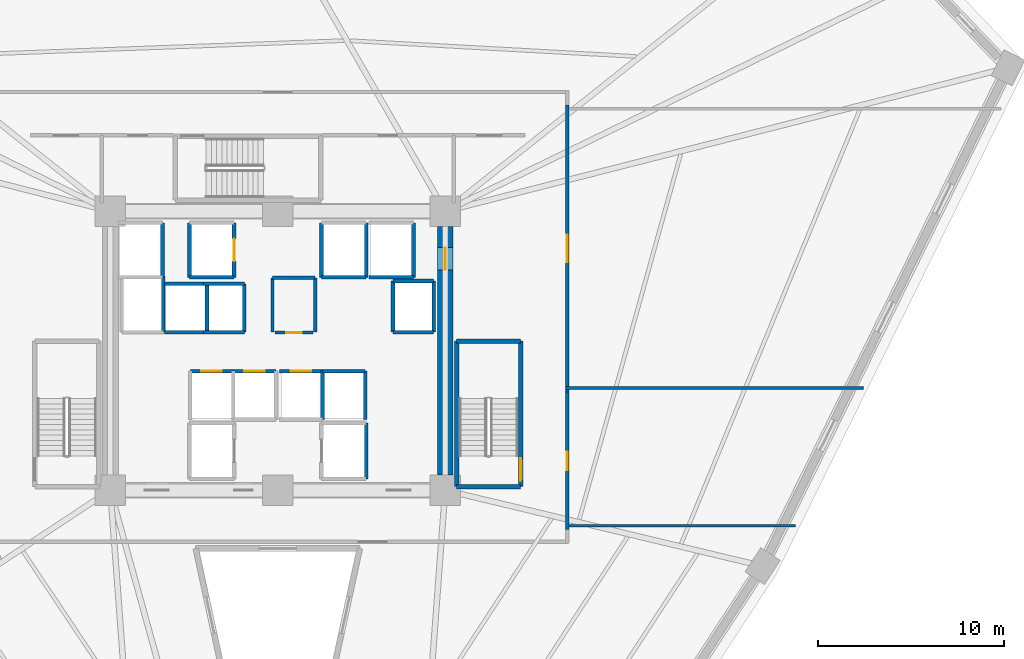
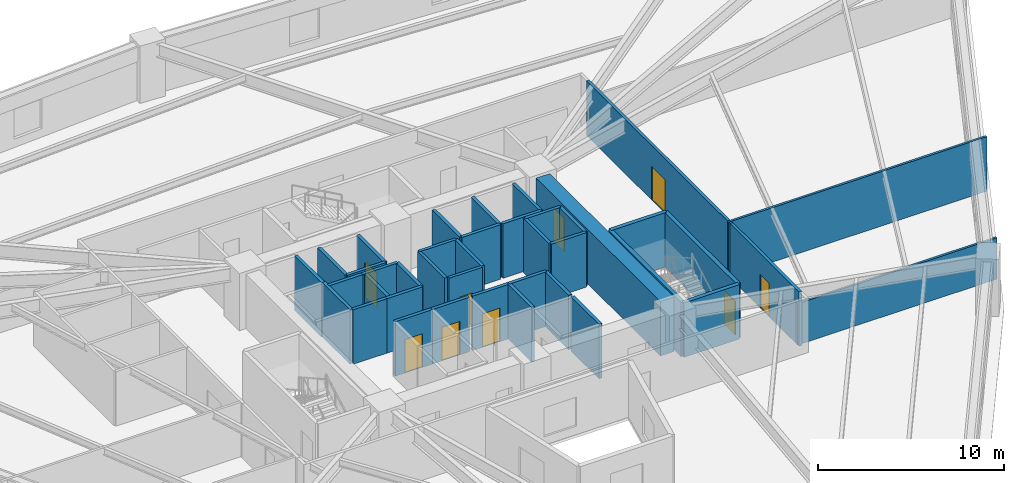
# One storey, part 5 of 8: 40 walls, 9 doors, 9 openings.
"""IFC4 building model written with IfcOpenShell, lengths in metres."""

from ifc_helpers import new_model, si_unit, direction, frame, frame_2d, origin, place, context, subcontext, project, spatial, rectangle, extrude, source, transform, mapped, material, layer, layer_set, type_object, element, fill, save


model = new_model("IFC4")

# Units and contexts
model_context = context("Model", 3, precision=1e-05, world=origin(), true_north=direction((0.0, 1.0)))
body_context = subcontext(model_context, "Body", "Model", "MODEL_VIEW")
ifc_project = project(units=[si_unit("LENGTHUNIT", "METRE"), si_unit("AREAUNIT", "SQUARE_METRE"), si_unit("VOLUMEUNIT", "CUBIC_METRE"), si_unit("PLANEANGLEUNIT", "RADIAN"), si_unit("MASSUNIT", "GRAM", prefix="KILO")], contexts=[model_context])

# Site, building, storey
site_placement = place(None, origin())
site = spatial("IfcSite", under=ifc_project, at=site_placement, CompositionType="ELEMENT")
building_placement = place(site_placement, origin())
building = spatial("IfcBuilding", under=site, at=building_placement, Name="Liaohun Quay Tower", CompositionType="ELEMENT")
storey_placement = place(building_placement, frame((0.0, 0.0, 32.25)))
storey = spatial("IfcBuildingStorey", under=building, at=storey_placement, Name="L08", CompositionType="ELEMENT", Elevation=32.25)

# Wall, opening, door
ifc_material_1 = material(Name="Concrete C60", Category="concrete")
ifc_layer_1 = layer(ifc_material_1, 0.85009765625, Name="Concrete C60", Category="concrete")
ifc_layer_set_1 = layer_set([ifc_layer_1], Name="Concrete C60")
wall_type_1 = type_object("IfcWallType", Name="WAL-COR-Z1", PredefinedType="SHEAR", material=ifc_layer_set_1)
wall_1_placement = place(storey_placement, frame((69.0, 60.675048828125, 0.0), z_axis=(0.0, 0.0, 1.0), x_axis=(0.0, -1.0, 0.0)))
wall_1 = element("IfcWall", 1, at=wall_1_placement, inside=storey, type_object=wall_type_1, Name="L08 Central Core Shear Wall E", PredefinedType="SHEAR", context=body_context, shape_type="SweptSolid", body=[
    extrude(rectangle(XDim=13.35009765625, YDim=0.85009765625, at=frame_2d((6.675048828125, 0.0))), origin(), (0.0, 0.0, 1.0), 3.570068359375),
])
shared_shape_1 = source(origin(), body_context, "Body", "SweptSolid", [
    extrude(rectangle(XDim=1.199951171875, YDim=2.199951171875, at=frame_2d((0.60009765625, 1.10009765625))), frame((0.0, 0.43505859375, 0.0), z_axis=(0.0, -1.0, 0.0), x_axis=(1.0, 0.0, 0.0)), (0.0, 0.0, 1.0), 0.8701171875),
])
opening_1_placement = place(wall_1_placement, frame((1.125, 0.0, 0.0)))
opening_1 = element("IfcOpeningElement", 2, at=opening_1_placement, cuts=wall_1, Name="Opening SD1", PredefinedType="OPENING", context=body_context, shape_type="MappedRepresentation", body=[
    mapped(shared_shape_1, transform((0.0, 0.0, 0.0), x_axis=(1.0, 0.0, 0.0), y_axis=(0.0, 1.0, 0.0), z_axis=(0.0, 0.0, 1.0), scale=1.0)),
])
ifc_material_2 = material(Name="Galvanised steel fire door", Category="steel")
door_type_1 = type_object("IfcDoorType", Name="DOR-STR-1200", OperationType="NOTDEFINED", PredefinedType="DOOR", material=ifc_material_2)
shared_shape_2 = source(origin(), body_context, "Body", "SweptSolid", [
    extrude(rectangle(XDim=1.199951171875, YDim=2.199951171875, at=frame_2d((0.60009765625, 1.10009765625))), frame((0.0, 0.02490234375, 0.0), z_axis=(0.0, -1.0, 0.0), x_axis=(1.0, 0.0, 0.0)), (0.0, 0.0, 1.0), 0.050048828125),
])
door_1_placement = place(opening_1_placement, origin())
door_1 = element("IfcDoor", 3, at=door_1_placement, inside=storey, type_object=door_type_1, Name="L08 North-East Core Lobby Smokeproof Door", OperationType="SINGLE_SWING_LEFT", OverallHeight=2.199951171875, OverallWidth=1.199951171875, PredefinedType="DOOR", context=body_context, shape_type="MappedRepresentation", body=[
    mapped(shared_shape_2, transform((0.0, 0.0, 0.0), x_axis=(1.0, 0.0, 0.0), y_axis=(0.0, 1.0, 0.0), z_axis=(0.0, 0.0, 1.0), scale=1.0)),
])
fill(opening_1, door_1)

ifc_material_3 = material(Name="Autoclaved aerated concrete blockwork", Category="masonry")
ifc_layer_2 = layer(ifc_material_3, 0.179931640625, Name="Autoclaved aerated concrete blockwork", Category="masonry")
ifc_layer_set_2 = layer_set([ifc_layer_2], Name="Autoclaved aerated concrete blockwork")
wall_type_2 = type_object("IfcWallType", Name="WAL-PRT-COR", PredefinedType="PARTITIONING", material=ifc_layer_set_2)
wall_2_placement = place(storey_placement, frame((59.840087890625, 54.97998046875, 0.0), z_axis=(0.0, 0.0, 1.0), x_axis=(1.0, 0.0, 0.0)))
wall_2 = element("IfcWall", 4, at=wall_2_placement, inside=storey, type_object=wall_type_2, Name="L08 Interior Partition Wall 001", PredefinedType="PARTITIONING", context=body_context, shape_type="SweptSolid", body=[
    extrude(rectangle(XDim=2.059814453125, YDim=0.179931640625, at=frame_2d((1.02978515625, 0.0))), origin(), (0.0, 0.0, 1.0), 3.570068359375),
])
shared_shape_3 = source(origin(), body_context, "Body", "SweptSolid", [
    extrude(rectangle(XDim=0.85009765625, YDim=2.10009765625, at=frame_2d((0.425048828125, 1.050048828125))), frame((0.0, 0.099853515625, 0.0), z_axis=(0.0, -1.0, 0.0), x_axis=(1.0, 0.0, 0.0)), (0.0, 0.0, 1.0), 0.199951171875),
])
opening_2_placement = place(wall_2_placement, frame((0.60498046875, 0.0, 0.0)))
opening_2 = element("IfcOpeningElement", 5, at=opening_2_placement, cuts=wall_2, Name="Opening AD1", PredefinedType="OPENING", context=body_context, shape_type="MappedRepresentation", body=[
    mapped(shared_shape_3, transform((0.0, 0.0, 0.0), x_axis=(1.0, 0.0, 0.0), y_axis=(0.0, 1.0, 0.0), z_axis=(0.0, 0.0, 1.0), scale=1.0)),
])
ifc_material_4 = material(Name="Steel riser inspection fire door", Category="steel")
door_type_2 = type_object("IfcDoorType", Name="DOR-SHF-850", OperationType="NOTDEFINED", PredefinedType="DOOR", material=ifc_material_4)
shared_shape_4 = source(origin(), body_context, "Body", "SweptSolid", [
    extrude(rectangle(XDim=0.85009765625, YDim=2.10009765625, at=frame_2d((0.425048828125, 1.050048828125))), frame((0.0, 0.02490234375, 0.0), z_axis=(0.0, -1.0, 0.0), x_axis=(1.0, 0.0, 0.0)), (0.0, 0.0, 1.0), 0.050048828125),
])
door_2_placement = place(opening_2_placement, origin())
door_2 = element("IfcDoor", 6, at=door_2_placement, inside=storey, type_object=door_type_2, Name="L08 Core Electrical and Telecom Riser Room Door", OperationType="SINGLE_SWING_RIGHT", OverallHeight=2.10009765625, OverallWidth=0.85009765625, PredefinedType="DOOR", context=body_context, shape_type="MappedRepresentation", body=[
    mapped(shared_shape_4, transform((0.0, 0.0, 0.0), x_axis=(1.0, 0.0, 0.0), y_axis=(0.0, 1.0, 0.0), z_axis=(0.0, 0.0, 1.0), scale=1.0)),
])
fill(opening_2, door_2)

wall_3_placement = place(storey_placement, frame((75.56005859375, 67.215087890625, 0.0), z_axis=(0.0, 0.0, 1.0), x_axis=(0.0, -1.0, 0.0)))
wall_3 = element("IfcWall", 7, at=wall_3_placement, inside=storey, type_object=wall_type_2, Name="L08 Interior Partition Wall 009", PredefinedType="PARTITIONING", context=body_context, shape_type="SweptSolid", body=[
    extrude(rectangle(XDim=15.43017578125, YDim=0.179931640625, at=frame_2d((7.715087890625, 0.0))), origin(), (0.0, 0.0, 1.0), 3.570068359375),
])
shared_shape_5 = source(origin(), body_context, "Body", "SweptSolid", [
    extrude(rectangle(XDim=1.5, YDim=2.199951171875, at=frame_2d((0.75, 1.10009765625))), frame((0.0, 0.099853515625, 0.0), z_axis=(0.0, -1.0, 0.0), x_axis=(1.0, 0.0, 0.0)), (0.0, 0.0, 1.0), 0.199951171875),
])
opening_3_placement = place(wall_3_placement, frame((6.965087890625, 0.0, 0.0)))
opening_3 = element("IfcOpeningElement", 8, at=opening_3_placement, cuts=wall_3, Name="Opening OD2", PredefinedType="OPENING", context=body_context, shape_type="MappedRepresentation", body=[
    mapped(shared_shape_5, transform((0.0, 0.0, 0.0), x_axis=(1.0, 0.0, 0.0), y_axis=(0.0, 1.0, 0.0), z_axis=(0.0, 0.0, 1.0), scale=1.0)),
])
ifc_material_5 = material(Name="Acoustic oak veneer double door")
door_type_3 = type_object("IfcDoorType", Name="DOR-OFF-1500", OperationType="DOUBLE_DOOR_SINGLE_SWING", PredefinedType="DOOR", material=ifc_material_5)
shared_shape_6 = source(origin(), body_context, "Body", "SweptSolid", [
    extrude(rectangle(XDim=1.5, YDim=2.199951171875, at=frame_2d((0.75, 1.10009765625))), frame((0.0, 0.02490234375, 0.0), z_axis=(0.0, -1.0, 0.0), x_axis=(1.0, 0.0, 0.0)), (0.0, 0.0, 1.0), 0.050048828125),
])
door_3_placement = place(opening_3_placement, origin())
door_3 = element("IfcDoor", 9, at=door_3_placement, inside=storey, type_object=door_type_3, Name="L08 Architectural Design Studio 01 Door", OperationType="DOUBLE_DOOR_SINGLE_SWING", OverallHeight=2.199951171875, OverallWidth=1.5, PredefinedType="DOOR", context=body_context, shape_type="MappedRepresentation", body=[
    mapped(shared_shape_6, transform((0.0, 0.0, 0.0), x_axis=(1.0, 0.0, 0.0), y_axis=(0.0, 1.0, 0.0), z_axis=(0.0, 0.0, 1.0), scale=1.0)),
])
fill(opening_3, door_3)

wall_4_placement = place(storey_placement, frame((75.56005859375, 51.784912109375, 0.0), z_axis=(0.0, 0.0, 1.0), x_axis=(0.0, -1.0, 0.0)))
wall_4 = element("IfcWall", 10, at=wall_4_placement, inside=storey, type_object=wall_type_2, Name="L08 Interior Partition Wall 014", PredefinedType="PARTITIONING", context=body_context, shape_type="SweptSolid", body=[
    extrude(rectangle(XDim=7.39990234375, YDim=0.179931640625, at=frame_2d((3.699951171875, 0.0))), origin(), (0.0, 0.0, 1.0), 3.570068359375),
])
shared_shape_7 = source(origin(), body_context, "Body", "SweptSolid", [
    extrude(rectangle(XDim=1.0, YDim=2.199951171875, at=frame_2d((0.5, 1.10009765625))), frame((0.0, 0.099853515625, 0.0), z_axis=(0.0, -1.0, 0.0), x_axis=(1.0, 0.0, 0.0)), (0.0, 0.0, 1.0), 0.199951171875),
])
opening_4_placement = place(wall_4_placement, frame((3.199951171875, 0.0, 0.0)))
opening_4 = element("IfcOpeningElement", 11, at=opening_4_placement, cuts=wall_4, Name="Opening OD1", PredefinedType="OPENING", context=body_context, shape_type="MappedRepresentation", body=[
    mapped(shared_shape_7, transform((0.0, 0.0, 0.0), x_axis=(1.0, 0.0, 0.0), y_axis=(0.0, 1.0, 0.0), z_axis=(0.0, 0.0, 1.0), scale=1.0)),
])
ifc_material_6 = material(Name="Solid-core oak veneer timber leaf in steel frame", Category="steel")
door_type_4 = type_object("IfcDoorType", Name="DOR-OFF-1000", OperationType="NOTDEFINED", PredefinedType="DOOR", material=ifc_material_6)
shared_shape_8 = source(origin(), body_context, "Body", "SweptSolid", [
    extrude(rectangle(XDim=1.0, YDim=2.199951171875, at=frame_2d((0.5, 1.10009765625))), frame((0.0, 0.02490234375, 0.0), z_axis=(0.0, -1.0, 0.0), x_axis=(1.0, 0.0, 0.0)), (0.0, 0.0, 1.0), 0.050048828125),
])
door_4_placement = place(opening_4_placement, origin())
door_4 = element("IfcDoor", 12, at=door_4_placement, inside=storey, type_object=door_type_4, Name="L08 Staff Tea Kitchen and Pantry 06 Door", OperationType="SINGLE_SWING_LEFT", OverallHeight=2.199951171875, OverallWidth=1.0, PredefinedType="DOOR", context=body_context, shape_type="MappedRepresentation", body=[
    mapped(shared_shape_8, transform((0.0, 0.0, 0.0), x_axis=(1.0, 0.0, 0.0), y_axis=(0.0, 1.0, 0.0), z_axis=(0.0, 0.0, 1.0), scale=1.0)),
])
fill(opening_4, door_4)

# Walls
for number, where, z_axis, x_axis, name in (
    (13, (59.719970703125, 55.02001953125, 0.0), (0.0, 0.0, 1.0), (0.0, 1.0, 0.0), "L08 Interior Partition Wall 015"),
    (14, (62.010009765625, 55.02001953125, 0.0), (0.0, 0.0, 1.0), (0.0, 1.0, 0.0), "L08 Interior Partition Wall 016"),
):
    element("IfcWall", number, at=place(storey_placement, frame(where, z_axis=z_axis, x_axis=x_axis)), inside=storey, type_object=wall_type_2, Name=name, PredefinedType="PARTITIONING", context=body_context, shape_type="SweptSolid", body=[
        extrude(rectangle(XDim=2.8798828125, YDim=0.179931640625, at=frame_2d((1.43994140625, 0.0))), origin(), (0.0, 0.0, 1.0), 3.570068359375),
    ])
wall_5_placement = place(storey_placement, frame((59.719970703125, 57.919921875, 0.0), z_axis=(0.0, 0.0, 1.0), x_axis=(1.0, 0.0, 0.0)))
element("IfcWall", 15, at=wall_5_placement, inside=storey, type_object=wall_type_2, Name="L08 Interior Partition Wall 017", PredefinedType="PARTITIONING", context=body_context, shape_type="SweptSolid", body=[
    extrude(rectangle(XDim=2.2900390625, YDim=0.179931640625, at=frame_2d((1.14501953125, 0.0))), origin(), (0.0, 0.0, 1.0), 3.570068359375),
])
ifc_material_7 = material(Name="Gypsum board on twin steel studs", Category="steel")
ifc_layer_3 = layer(ifc_material_7, 0.139892578125, Name="Gypsum board on twin steel studs", Category="steel")
ifc_layer_set_3 = layer_set([ifc_layer_3], Name="Gypsum board on twin steel studs")
wall_type_3 = type_object("IfcWallType", Name="WAL-PRT-OFF", PredefinedType="PARTITIONING", material=ifc_layer_set_3)
wall_6_placement = place(storey_placement, frame((75.4599609375, 44.60009765625, 0.0), z_axis=(0.0, 0.0, 1.0), x_axis=(1.0, 0.0, 0.0)))
element("IfcWall", 16, at=wall_6_placement, inside=storey, type_object=wall_type_3, Name="L08 Interior Partition Wall 033", PredefinedType="PARTITIONING", context=body_context, shape_type="SweptSolid", body=[
    extrude(rectangle(XDim=12.379150390625, YDim=0.139892578125, at=frame_2d((6.189453125, 0.0))), origin(), (0.0, 0.0, 1.0), 2.705078125),
])
wall_7_placement = place(storey_placement, frame((75.4599609375, 52.0, 0.0), z_axis=(0.0, 0.0, 1.0), x_axis=(1.0, 0.0, 0.0)))
element("IfcWall", 17, at=wall_7_placement, inside=storey, type_object=wall_type_3, Name="L08 Interior Partition Wall 034", PredefinedType="PARTITIONING", context=body_context, shape_type="SweptSolid", body=[
    extrude(rectangle(XDim=16.02294921875, YDim=0.139892578125, at=frame_2d((8.011474609375, 0.0))), origin(), (0.0, 0.0, 1.0), 3.570068359375),
])
ifc_material_8 = material(Name="Concrete C50", Category="concrete")
ifc_layer_4 = layer(ifc_material_8, 0.239990234375, Name="Concrete C50", Category="concrete")
ifc_layer_set_4 = layer_set([ifc_layer_4], Name="Concrete C50")
wall_type_4 = type_object("IfcWallType", Name="WAL-SHF-200", PredefinedType="SOLIDWALL", material=ifc_layer_set_4)
wall_8_placement = place(storey_placement, frame((69.6201171875, 46.699951171875, 0.0), z_axis=(0.0, 0.0, 1.0), x_axis=(1.0, 0.0, 0.0)))
element("IfcWall", 18, at=wall_8_placement, inside=storey, type_object=wall_type_4, Name="L08 Stairwell ST-2 Structural Core Wall S", PredefinedType="SOLIDWALL", context=body_context, shape_type="SweptSolid", body=[
    extrude(rectangle(XDim=3.43994140625, YDim=0.239990234375, at=frame_2d((1.719970703125, 0.0))), origin(), (0.0, 0.0, 1.0), 3.570068359375),
])

# Wall, opening, door
wall_9_placement = place(storey_placement, frame((73.06005859375, 46.699951171875, 0.0), z_axis=(0.0, 0.0, 1.0), x_axis=(0.0, 1.0, 0.0)))
wall_9 = element("IfcWall", 19, at=wall_9_placement, inside=storey, type_object=wall_type_4, Name="L08 Stairwell ST-2 Structural Core Wall E", PredefinedType="SOLIDWALL", context=body_context, shape_type="SweptSolid", body=[
    extrude(rectangle(XDim=7.820068359375, YDim=0.239990234375, at=frame_2d((3.91015625, 0.0))), origin(), (0.0, 0.0, 1.0), 3.570068359375),
])
shared_shape_9 = source(origin(), body_context, "Body", "SweptSolid", [
    extrude(rectangle(XDim=1.199951171875, YDim=2.199951171875, at=frame_2d((0.60009765625, 1.10009765625))), frame((0.0, 0.1298828125, 0.0), z_axis=(0.0, -1.0, 0.0), x_axis=(1.0, 0.0, 0.0)), (0.0, 0.0, 1.0), 0.260009765625),
])
opening_5_placement = place(wall_9_placement, frame((0.320068359375, 0.0, 0.0)))
opening_5 = element("IfcOpeningElement", 20, at=opening_5_placement, cuts=wall_9, Name="Opening SD1", PredefinedType="OPENING", context=body_context, shape_type="MappedRepresentation", body=[
    mapped(shared_shape_9, transform((0.0, 0.0, 0.0), x_axis=(1.0, 0.0, 0.0), y_axis=(0.0, 1.0, 0.0), z_axis=(0.0, 0.0, 1.0), scale=1.0)),
])
door_5_placement = place(opening_5_placement, origin())
door_5 = element("IfcDoor", 21, at=door_5_placement, inside=storey, type_object=door_type_1, Name="L08 Protected Stair ST-2 Fire Door", OperationType="SINGLE_SWING_RIGHT", OverallHeight=2.199951171875, OverallWidth=1.199951171875, PredefinedType="DOOR", context=body_context, shape_type="MappedRepresentation", body=[
    mapped(shared_shape_2, transform((0.0, 0.0, 0.0), x_axis=(1.0, 0.0, 0.0), y_axis=(0.0, 1.0, 0.0), z_axis=(0.0, 0.0, 1.0), scale=1.0)),
])
fill(opening_5, door_5)

# Walls
wall_10_placement = place(storey_placement, frame((73.06005859375, 54.52001953125, 0.0), z_axis=(0.0, 0.0, 1.0), x_axis=(-1.0, 0.0, 0.0)))
element("IfcWall", 22, at=wall_10_placement, inside=storey, type_object=wall_type_4, Name="L08 Stairwell ST-2 Structural Core Wall N", PredefinedType="SOLIDWALL", context=body_context, shape_type="SweptSolid", body=[
    extrude(rectangle(XDim=3.43994140625, YDim=0.239990234375, at=frame_2d((1.719970703125, 0.0))), origin(), (0.0, 0.0, 1.0), 3.570068359375),
])
wall_11_placement = place(storey_placement, frame((69.6201171875, 54.52001953125, 0.0), z_axis=(0.0, 0.0, 1.0), x_axis=(0.0, -1.0, 0.0)))
element("IfcWall", 23, at=wall_11_placement, inside=storey, type_object=wall_type_4, Name="L08 Stairwell ST-2 Structural Core Wall W", PredefinedType="SOLIDWALL", context=body_context, shape_type="SweptSolid", body=[
    extrude(rectangle(XDim=7.820068359375, YDim=0.239990234375, at=frame_2d((3.91015625, 0.0))), origin(), (0.0, 0.0, 1.0), 3.570068359375),
])
wall_12_placement = place(storey_placement, frame((64.75, 47.1201171875, 0.0), z_axis=(0.0, 0.0, 1.0), x_axis=(0.0, 1.0, 0.0)))
element("IfcWall", 24, at=wall_12_placement, inside=storey, type_object=wall_type_4, Name="L08 Lift FF-02 Hoistway Wall E", PredefinedType="SOLIDWALL", context=body_context, shape_type="SweptSolid", body=[
    extrude(rectangle(XDim=3.0, YDim=0.199951171875, at=frame_2d((1.5, 0.0))), origin(), (0.0, 0.0, 1.0), 3.570068359375),
])
wall_13_placement = place(storey_placement, frame((55.25, 57.949951171875, 0.0), z_axis=(0.0, 0.0, 1.0), x_axis=(1.0, 0.0, 0.0)))
element("IfcWall", 25, at=wall_13_placement, inside=storey, type_object=wall_type_4, Name="L08 Lift FF-03 Hoistway Wall S", PredefinedType="SOLIDWALL", context=body_context, shape_type="SweptSolid", body=[
    extrude(rectangle(XDim=2.39990234375, YDim=0.199951171875, at=frame_2d((1.199951171875, 0.0))), origin(), (0.0, 0.0, 1.0), 3.570068359375),
])

# Wall, opening, door
wall_14_placement = place(storey_placement, frame((57.64990234375, 57.949951171875, 0.0), z_axis=(0.0, 0.0, 1.0), x_axis=(0.0, 1.0, 0.0)))
wall_14 = element("IfcWall", 26, at=wall_14_placement, inside=storey, type_object=wall_type_4, Name="L08 Lift FF-03 Hoistway Wall E", PredefinedType="SOLIDWALL", context=body_context, shape_type="SweptSolid", body=[
    extrude(rectangle(XDim=2.929931640625, YDim=0.199951171875, at=frame_2d((1.46484375, 0.0))), origin(), (0.0, 0.0, 1.0), 3.570068359375),
])
shared_shape_10 = source(origin(), body_context, "Body", "SweptSolid", [
    extrude(rectangle(XDim=1.199951171875, YDim=2.300048828125, at=frame_2d((0.60009765625, 1.14990234375))), frame((0.0, 0.10986328125, 0.0), z_axis=(0.0, -1.0, 0.0), x_axis=(1.0, 0.0, 0.0)), (0.0, 0.0, 1.0), 0.219970703125),
])
opening_6_placement = place(wall_14_placement, frame((0.864990234375, 0.0, 0.0)))
opening_6 = element("IfcOpeningElement", 27, at=opening_6_placement, cuts=wall_14, Name="Opening LD2", PredefinedType="OPENING", context=body_context, shape_type="MappedRepresentation", body=[
    mapped(shared_shape_10, transform((0.0, 0.0, 0.0), x_axis=(1.0, 0.0, 0.0), y_axis=(0.0, 1.0, 0.0), z_axis=(0.0, 0.0, 1.0), scale=1.0)),
])
ifc_material_9 = material(Name="Brushed stainless steel stretcher landing door", Category="steel")
door_type_5 = type_object("IfcDoorType", Name="DOR-LFT-1200", OperationType="SLIDING_TO_LEFT", PredefinedType="DOOR", material=ifc_material_9)
shared_shape_11 = source(origin(), body_context, "Body", "SweptSolid", [
    extrude(rectangle(XDim=1.199951171875, YDim=2.300048828125, at=frame_2d((0.60009765625, 1.14990234375))), frame((0.0, 0.02490234375, 0.0), z_axis=(0.0, -1.0, 0.0), x_axis=(1.0, 0.0, 0.0)), (0.0, 0.0, 1.0), 0.050048828125),
])
door_6_placement = place(opening_6_placement, origin())
door_6 = element("IfcDoor", 28, at=door_6_placement, inside=storey, type_object=door_type_5, Name="L08 Lift FF-03 Sliding Landing Door", OperationType="SLIDING_TO_LEFT", OverallHeight=2.300048828125, OverallWidth=1.199951171875, PredefinedType="DOOR", context=body_context, shape_type="MappedRepresentation", body=[
    mapped(shared_shape_11, transform((0.0, 0.0, 0.0), x_axis=(1.0, 0.0, 0.0), y_axis=(0.0, 1.0, 0.0), z_axis=(0.0, 0.0, 1.0), scale=1.0)),
])
fill(opening_6, door_6)

# Walls
wall_15_placement = place(storey_placement, frame((55.25, 60.8798828125, 0.0), z_axis=(0.0, 0.0, 1.0), x_axis=(0.0, -1.0, 0.0)))
element("IfcWall", 29, at=wall_15_placement, inside=storey, type_object=wall_type_4, Name="L08 Lift FF-03 Hoistway Wall W", PredefinedType="SOLIDWALL", context=body_context, shape_type="SweptSolid", body=[
    extrude(rectangle(XDim=2.929931640625, YDim=0.199951171875, at=frame_2d((1.46484375, 0.0))), origin(), (0.0, 0.0, 1.0), 3.570068359375),
])
wall_16_placement = place(storey_placement, frame((62.35009765625, 57.949951171875, 0.0), z_axis=(0.0, 0.0, 1.0), x_axis=(1.0, 0.0, 0.0)))
element("IfcWall", 30, at=wall_16_placement, inside=storey, type_object=wall_type_4, Name="L08 Lift OB-01 Hoistway Wall S", PredefinedType="SOLIDWALL", context=body_context, shape_type="SweptSolid", body=[
    extrude(rectangle(XDim=2.39990234375, YDim=0.199951171875, at=frame_2d((1.199951171875, 0.0))), origin(), (0.0, 0.0, 1.0), 3.570068359375),
])
for number, where, z_axis, x_axis, name in (
    (31, (64.75, 57.949951171875, 0.0), (0.0, 0.0, 1.0), (0.0, 1.0, 0.0), "L08 Lift OB-01 Hoistway Wall E"),
    (32, (62.35009765625, 60.8798828125, 0.0), (0.0, 0.0, 1.0), (0.0, -1.0, 0.0), "L08 Lift OB-01 Hoistway Wall W"),
):
    element("IfcWall", number, at=place(storey_placement, frame(where, z_axis=z_axis, x_axis=x_axis)), inside=storey, type_object=wall_type_4, Name=name, PredefinedType="SOLIDWALL", context=body_context, shape_type="SweptSolid", body=[
        extrude(rectangle(XDim=2.929931640625, YDim=0.199951171875, at=frame_2d((1.46484375, 0.0))), origin(), (0.0, 0.0, 1.0), 3.570068359375),
    ])
wall_17_placement = place(storey_placement, frame((64.89990234375, 57.949951171875, 0.0), z_axis=(0.0, 0.0, 1.0), x_axis=(1.0, 0.0, 0.0)))
element("IfcWall", 33, at=wall_17_placement, inside=storey, type_object=wall_type_4, Name="L08 Lift OB-02 Hoistway Wall S", PredefinedType="SOLIDWALL", context=body_context, shape_type="SweptSolid", body=[
    extrude(rectangle(XDim=2.400146484375, YDim=0.199951171875, at=frame_2d((1.2001953125, 0.0))), origin(), (0.0, 0.0, 1.0), 3.570068359375),
])
for number, where, z_axis, x_axis, name in (
    (34, (67.300048828125, 57.949951171875, 0.0), (0.0, 0.0, 1.0), (0.0, 1.0, 0.0), "L08 Lift OB-02 Hoistway Wall E"),
    (35, (53.800048828125, 57.949951171875, 0.0), (0.0, 0.0, 1.0), (0.0, 1.0, 0.0), "L08 Lift SH-01 Hoistway Wall E"),
):
    element("IfcWall", number, at=place(storey_placement, frame(where, z_axis=z_axis, x_axis=x_axis)), inside=storey, type_object=wall_type_4, Name=name, PredefinedType="SOLIDWALL", context=body_context, shape_type="SweptSolid", body=[
        extrude(rectangle(XDim=2.929931640625, YDim=0.199951171875, at=frame_2d((1.46484375, 0.0))), origin(), (0.0, 0.0, 1.0), 3.570068359375),
    ])
wall_18_placement = place(storey_placement, frame((53.85009765625, 55.0, 0.0), z_axis=(0.0, 0.0, 1.0), x_axis=(0.0, 1.0, 0.0)))
element("IfcWall", 36, at=wall_18_placement, inside=storey, type_object=wall_type_4, Name="L08 Lift SH-02 Hoistway Wall E", PredefinedType="SOLIDWALL", context=body_context, shape_type="SweptSolid", body=[
    extrude(rectangle(XDim=3.0, YDim=0.199951171875, at=frame_2d((1.5, 0.0))), origin(), (0.0, 0.0, 1.0), 3.570068359375),
])
wall_19_placement = place(storey_placement, frame((66.199951171875, 55.0, 0.0), z_axis=(0.0, 0.0, 1.0), x_axis=(1.0, 0.0, 0.0)))
element("IfcWall", 37, at=wall_19_placement, inside=storey, type_object=wall_type_4, Name="L08 Lift SH-03 Hoistway Wall S", PredefinedType="SOLIDWALL", context=body_context, shape_type="SweptSolid", body=[
    extrude(rectangle(XDim=2.179931640625, YDim=0.199951171875, at=frame_2d((1.08984375, 0.0))), origin(), (0.0, 0.0, 1.0), 3.570068359375),
])
wall_20_placement = place(storey_placement, frame((68.3798828125, 55.0, 0.0), z_axis=(0.0, 0.0, 1.0), x_axis=(0.0, 1.0, 0.0)))
element("IfcWall", 38, at=wall_20_placement, inside=storey, type_object=wall_type_4, Name="L08 Lift SH-03 Hoistway Wall E", PredefinedType="SOLIDWALL", context=body_context, shape_type="SweptSolid", body=[
    extrude(rectangle(XDim=2.75, YDim=0.199951171875, at=frame_2d((1.375, 0.0))), origin(), (0.0, 0.0, 1.0), 3.570068359375),
])
wall_21_placement = place(storey_placement, frame((68.3798828125, 57.75, 0.0), z_axis=(0.0, 0.0, 1.0), x_axis=(-1.0, 0.0, 0.0)))
element("IfcWall", 39, at=wall_21_placement, inside=storey, type_object=wall_type_4, Name="L08 Lift SH-03 Hoistway Wall N", PredefinedType="SOLIDWALL", context=body_context, shape_type="SweptSolid", body=[
    extrude(rectangle(XDim=2.179931640625, YDim=0.199951171875, at=frame_2d((1.08984375, 0.0))), origin(), (0.0, 0.0, 1.0), 3.570068359375),
])
wall_22_placement = place(storey_placement, frame((66.199951171875, 57.75, 0.0), z_axis=(0.0, 0.0, 1.0), x_axis=(0.0, -1.0, 0.0)))
element("IfcWall", 40, at=wall_22_placement, inside=storey, type_object=wall_type_4, Name="L08 Lift SH-03 Hoistway Wall W", PredefinedType="SOLIDWALL", context=body_context, shape_type="SweptSolid", body=[
    extrude(rectangle(XDim=2.75, YDim=0.199951171875, at=frame_2d((1.375, 0.0))), origin(), (0.0, 0.0, 1.0), 3.570068359375),
])

# Wall, opening, door
wall_23_placement = place(storey_placement, frame((57.60009765625, 52.89990234375, 0.0), z_axis=(0.0, 0.0, 1.0), x_axis=(-1.0, 0.0, 0.0)))
wall_23 = element("IfcWall", 41, at=wall_23_placement, inside=storey, type_object=wall_type_4, Name="L08 Lift PL-1A Hoistway Wall N", PredefinedType="SOLIDWALL", context=body_context, shape_type="SweptSolid", body=[
    extrude(rectangle(XDim=2.300048828125, YDim=0.199951171875, at=frame_2d((1.14990234375, 0.0))), origin(), (0.0, 0.0, 1.0), 3.570068359375),
])
shared_shape_12 = source(origin(), body_context, "Body", "SweptSolid", [
    extrude(rectangle(XDim=1.10009765625, YDim=2.199951171875, at=frame_2d((0.550048828125, 1.10009765625))), frame((0.0, 0.10986328125, 0.0), z_axis=(0.0, -1.0, 0.0), x_axis=(1.0, 0.0, 0.0)), (0.0, 0.0, 1.0), 0.219970703125),
])
opening_7_placement = place(wall_23_placement, frame((0.60009765625, 0.0, 0.0)))
opening_7 = element("IfcOpeningElement", 42, at=opening_7_placement, cuts=wall_23, Name="Opening LD1", PredefinedType="OPENING", context=body_context, shape_type="MappedRepresentation", body=[
    mapped(shared_shape_12, transform((0.0, 0.0, 0.0), x_axis=(1.0, 0.0, 0.0), y_axis=(0.0, 1.0, 0.0), z_axis=(0.0, 0.0, 1.0), scale=1.0)),
])
ifc_material_10 = material(Name="Brushed stainless steel landing door", Category="steel")
door_type_6 = type_object("IfcDoorType", Name="DOR-LFT-1100", OperationType="SLIDING_TO_LEFT", PredefinedType="DOOR", material=ifc_material_10)
shared_shape_13 = source(origin(), body_context, "Body", "SweptSolid", [
    extrude(rectangle(XDim=1.10009765625, YDim=2.199951171875, at=frame_2d((0.550048828125, 1.10009765625))), frame((0.0, 0.02490234375, 0.0), z_axis=(0.0, -1.0, 0.0), x_axis=(1.0, 0.0, 0.0)), (0.0, 0.0, 1.0), 0.050048828125),
])
door_7_placement = place(opening_7_placement, origin())
door_7 = element("IfcDoor", 43, at=door_7_placement, inside=storey, type_object=door_type_6, Name="L08 Lift PL-1A Sliding Landing Door", OperationType="SLIDING_TO_LEFT", OverallHeight=2.199951171875, OverallWidth=1.10009765625, PredefinedType="DOOR", context=body_context, shape_type="MappedRepresentation", body=[
    mapped(shared_shape_13, transform((0.0, 0.0, 0.0), x_axis=(1.0, 0.0, 0.0), y_axis=(0.0, 1.0, 0.0), z_axis=(0.0, 0.0, 1.0), scale=1.0)),
])
fill(opening_7, door_7)

wall_24_placement = place(storey_placement, frame((59.89990234375, 52.89990234375, 0.0), z_axis=(0.0, 0.0, 1.0), x_axis=(-1.0, 0.0, 0.0)))
wall_24 = element("IfcWall", 44, at=wall_24_placement, inside=storey, type_object=wall_type_4, Name="L08 Lift PL-1B Hoistway Wall N", PredefinedType="SOLIDWALL", context=body_context, shape_type="SweptSolid", body=[
    extrude(rectangle(XDim=2.2998046875, YDim=0.199951171875, at=frame_2d((1.14990234375, 0.0))), origin(), (0.0, 0.0, 1.0), 3.570068359375),
])
opening_8_placement = place(wall_24_placement, frame((0.60009765625, 0.0, 0.0)))
opening_8 = element("IfcOpeningElement", 45, at=opening_8_placement, cuts=wall_24, Name="Opening LD1", PredefinedType="OPENING", context=body_context, shape_type="MappedRepresentation", body=[
    mapped(shared_shape_12, transform((0.0, 0.0, 0.0), x_axis=(1.0, 0.0, 0.0), y_axis=(0.0, 1.0, 0.0), z_axis=(0.0, 0.0, 1.0), scale=1.0)),
])
door_8_placement = place(opening_8_placement, origin())
door_8 = element("IfcDoor", 46, at=door_8_placement, inside=storey, type_object=door_type_6, Name="L08 Lift PL-1B Sliding Landing Door", OperationType="SLIDING_TO_LEFT", OverallHeight=2.199951171875, OverallWidth=1.10009765625, PredefinedType="DOOR", context=body_context, shape_type="MappedRepresentation", body=[
    mapped(shared_shape_13, transform((0.0, 0.0, 0.0), x_axis=(1.0, 0.0, 0.0), y_axis=(0.0, 1.0, 0.0), z_axis=(0.0, 0.0, 1.0), scale=1.0)),
])
fill(opening_8, door_8)

# Wall
wall_25_placement = place(storey_placement, frame((62.39990234375, 50.300048828125, 0.0), z_axis=(0.0, 0.0, 1.0), x_axis=(0.0, 1.0, 0.0)))
element("IfcWall", 47, at=wall_25_placement, inside=storey, type_object=wall_type_4, Name="L08 Lift PL-1C Hoistway Wall E", PredefinedType="SOLIDWALL", context=body_context, shape_type="SweptSolid", body=[
    extrude(rectangle(XDim=2.599853515625, YDim=0.199951171875, at=frame_2d((1.2998046875, 0.0))), origin(), (0.0, 0.0, 1.0), 3.570068359375),
])

# Wall, opening, door
wall_26_placement = place(storey_placement, frame((62.39990234375, 52.89990234375, 0.0), z_axis=(0.0, 0.0, 1.0), x_axis=(-1.0, 0.0, 0.0)))
wall_26 = element("IfcWall", 48, at=wall_26_placement, inside=storey, type_object=wall_type_4, Name="L08 Lift PL-1C Hoistway Wall N", PredefinedType="SOLIDWALL", context=body_context, shape_type="SweptSolid", body=[
    extrude(rectangle(XDim=2.2998046875, YDim=0.199951171875, at=frame_2d((1.14990234375, 0.0))), origin(), (0.0, 0.0, 1.0), 3.570068359375),
])
opening_9_placement = place(wall_26_placement, frame((0.60009765625, 0.0, 0.0)))
opening_9 = element("IfcOpeningElement", 49, at=opening_9_placement, cuts=wall_26, Name="Opening LD1", PredefinedType="OPENING", context=body_context, shape_type="MappedRepresentation", body=[
    mapped(shared_shape_12, transform((0.0, 0.0, 0.0), x_axis=(1.0, 0.0, 0.0), y_axis=(0.0, 1.0, 0.0), z_axis=(0.0, 0.0, 1.0), scale=1.0)),
])
door_9_placement = place(opening_9_placement, origin())
door_9 = element("IfcDoor", 50, at=door_9_placement, inside=storey, type_object=door_type_6, Name="L08 Lift PL-1C Sliding Landing Door", OperationType="SLIDING_TO_LEFT", OverallHeight=2.199951171875, OverallWidth=1.10009765625, PredefinedType="DOOR", context=body_context, shape_type="MappedRepresentation", body=[
    mapped(shared_shape_13, transform((0.0, 0.0, 0.0), x_axis=(1.0, 0.0, 0.0), y_axis=(0.0, 1.0, 0.0), z_axis=(0.0, 0.0, 1.0), scale=1.0)),
])
fill(opening_9, door_9)

# Walls
wall_27_placement = place(storey_placement, frame((64.699951171875, 50.300048828125, 0.0), z_axis=(0.0, 0.0, 1.0), x_axis=(0.0, 1.0, 0.0)))
element("IfcWall", 51, at=wall_27_placement, inside=storey, type_object=wall_type_4, Name="L08 Lift PL-2A Hoistway Wall E", PredefinedType="SOLIDWALL", context=body_context, shape_type="SweptSolid", body=[
    extrude(rectangle(XDim=2.599853515625, YDim=0.199951171875, at=frame_2d((1.2998046875, 0.0))), origin(), (0.0, 0.0, 1.0), 3.570068359375),
])
for number, where, z_axis, x_axis, name in (
    (52, (64.699951171875, 52.89990234375, 0.0), (0.0, 0.0, 1.0), (-1.0, 0.0, 0.0), "L08 Lift PL-2A Hoistway Wall N"),
    (53, (53.89990234375, 55.0, 0.0), (0.0, 0.0, 1.0), (1.0, 0.0, 0.0), "L08 Lift PL-2B Hoistway Wall S"),
):
    element("IfcWall", number, at=place(storey_placement, frame(where, z_axis=z_axis, x_axis=x_axis)), inside=storey, type_object=wall_type_4, Name=name, PredefinedType="SOLIDWALL", context=body_context, shape_type="SweptSolid", body=[
        extrude(rectangle(XDim=2.300048828125, YDim=0.199951171875, at=frame_2d((1.14990234375, 0.0))), origin(), (0.0, 0.0, 1.0), 3.570068359375),
    ])
wall_28_placement = place(storey_placement, frame((56.199951171875, 55.0, 0.0), z_axis=(0.0, 0.0, 1.0), x_axis=(0.0, 1.0, 0.0)))
element("IfcWall", 54, at=wall_28_placement, inside=storey, type_object=wall_type_4, Name="L08 Lift PL-2B Hoistway Wall E", PredefinedType="SOLIDWALL", context=body_context, shape_type="SweptSolid", body=[
    extrude(rectangle(XDim=2.60009765625, YDim=0.199951171875, at=frame_2d((1.300048828125, 0.0))), origin(), (0.0, 0.0, 1.0), 3.570068359375),
])
wall_29_placement = place(storey_placement, frame((56.199951171875, 57.60009765625, 0.0), z_axis=(0.0, 0.0, 1.0), x_axis=(-1.0, 0.0, 0.0)))
element("IfcWall", 55, at=wall_29_placement, inside=storey, type_object=wall_type_4, Name="L08 Lift PL-2B Hoistway Wall N", PredefinedType="SOLIDWALL", context=body_context, shape_type="SweptSolid", body=[
    extrude(rectangle(XDim=2.300048828125, YDim=0.199951171875, at=frame_2d((1.14990234375, 0.0))), origin(), (0.0, 0.0, 1.0), 3.570068359375),
])
wall_30_placement = place(storey_placement, frame((56.0, 55.0, 0.0), z_axis=(0.0, 0.0, 1.0), x_axis=(1.0, 0.0, 0.0)))
element("IfcWall", 56, at=wall_30_placement, inside=storey, type_object=wall_type_4, Name="L08 Lift PL-2C Hoistway Wall S", PredefinedType="SOLIDWALL", context=body_context, shape_type="SweptSolid", body=[
    extrude(rectangle(XDim=2.199951171875, YDim=0.199951171875, at=frame_2d((1.10009765625, 0.0))), origin(), (0.0, 0.0, 1.0), 3.570068359375),
])
wall_31_placement = place(storey_placement, frame((58.199951171875, 55.0, 0.0), z_axis=(0.0, 0.0, 1.0), x_axis=(0.0, 1.0, 0.0)))
element("IfcWall", 57, at=wall_31_placement, inside=storey, type_object=wall_type_4, Name="L08 Lift PL-2C Hoistway Wall E", PredefinedType="SOLIDWALL", context=body_context, shape_type="SweptSolid", body=[
    extrude(rectangle(XDim=2.60009765625, YDim=0.199951171875, at=frame_2d((1.300048828125, 0.0))), origin(), (0.0, 0.0, 1.0), 3.570068359375),
])
wall_32_placement = place(storey_placement, frame((58.199951171875, 57.60009765625, 0.0), z_axis=(0.0, 0.0, 1.0), x_axis=(-1.0, 0.0, 0.0)))
element("IfcWall", 58, at=wall_32_placement, inside=storey, type_object=wall_type_4, Name="L08 Lift PL-2C Hoistway Wall N", PredefinedType="SOLIDWALL", context=body_context, shape_type="SweptSolid", body=[
    extrude(rectangle(XDim=2.199951171875, YDim=0.199951171875, at=frame_2d((1.10009765625, 0.0))), origin(), (0.0, 0.0, 1.0), 3.570068359375),
])

save(model, "model.ifc")
